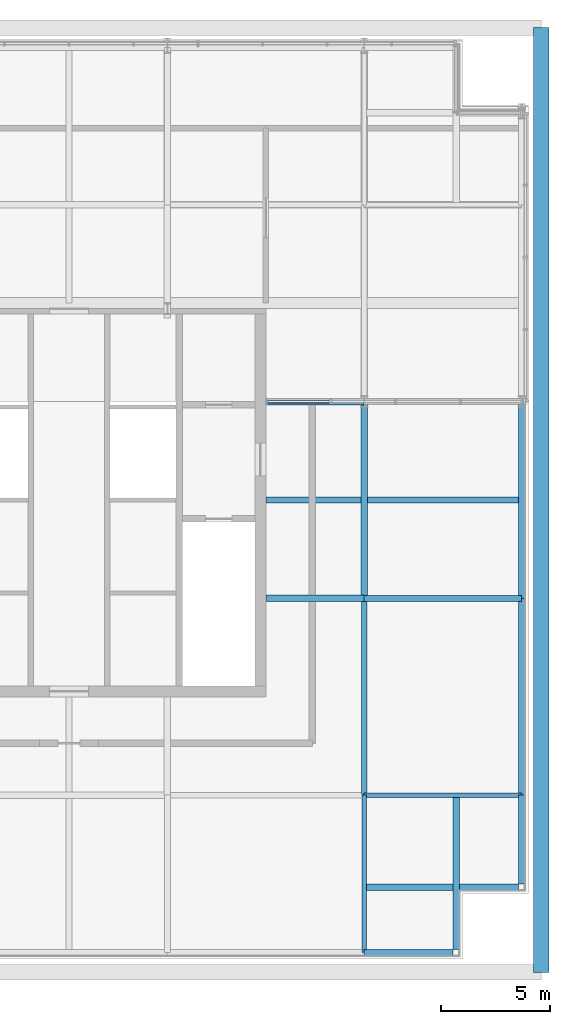
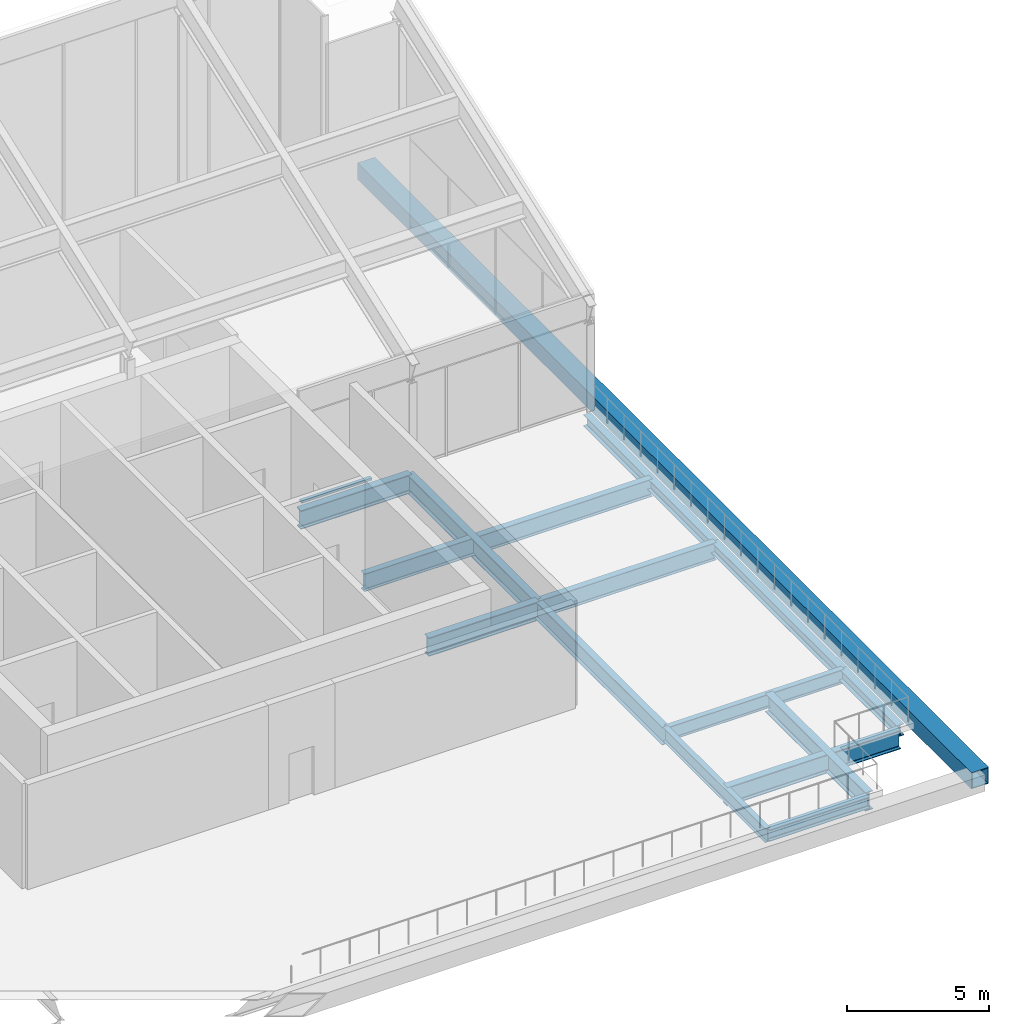
# One storey, part 3 of 10: 14 beams, 2 members, 1 element without a shape of its own.
"""IFC4 building model written with IfcOpenShell, lengths in metres."""

from ifc_helpers import new_model, si_unit, direction, frame, origin, origin_2d, place, context, subcontext, project, spatial, rectangle, hollow_rectangle, i_section, extrude, material, layer, layer_set, material_profile, profile_set, type_object, element, aggregate, save


model = new_model("IFC4")

# Units and contexts
model_context = context("Model", 3, precision=1e-05, world=origin(), true_north=direction((0.0, 1.0)))
body_context = subcontext(model_context, "Body", "Model", "MODEL_VIEW")
ifc_project = project(units=[si_unit("LENGTHUNIT", "METRE"), si_unit("AREAUNIT", "SQUARE_METRE"), si_unit("VOLUMEUNIT", "CUBIC_METRE"), si_unit("PLANEANGLEUNIT", "RADIAN"), si_unit("MASSUNIT", "GRAM", prefix="KILO")], contexts=[model_context])

# Site, building, storey
site_placement = place(None, origin())
site = spatial("IfcSite", under=ifc_project, at=site_placement, CompositionType="ELEMENT")
building_placement = place(site_placement, origin())
building = spatial("IfcBuilding", under=site, at=building_placement, Name="Malebo Sky Hospital", CompositionType="ELEMENT")
storey_placement = place(building_placement, frame((0.0, 0.0, 290.0)))
storey = spatial("IfcBuildingStorey", under=building, at=storey_placement, Name="RF", CompositionType="ELEMENT", Elevation=290.0)

# Curtain wall, member
ifc_material_1 = material(Name="Anodised aluminium, natural silver", Category="aluminium")
ifc_layer = layer(ifc_material_1, 0.25)
ifc_layer_set = layer_set([ifc_layer], Name="PENTHOUSE LOUVRE SCREEN")
curtain_wall_type = type_object("IfcCurtainWallType", Name="PENTHOUSE LOUVRE SCREEN", PredefinedType="NOTDEFINED", material=ifc_layer_set)
curtain_wall_placement = place(storey_placement, origin())
curtain_wall = element("IfcCurtainWall", 1, at=curtain_wall_placement, inside=storey, type_object=curtain_wall_type, Name="ROOF curtain wall SE", PredefinedType="NOTDEFINED")
ifc_material_profile_1 = material_profile(ifc_material_1, rectangle(XDim=0.14990234375, YDim=0.10009765625, at=origin_2d()), Name="ALUMINIUM TRANSOM 150x100")
ifc_profile_set_1 = profile_set([ifc_material_profile_1], Name="Anodised aluminium, natural silver")
member_type_1 = type_object("IfcMemberType", Name="ALUMINIUM TRANSOM 150x100", PredefinedType="USERDEFINED", material=ifc_profile_set_1)
member_1_placement = place(storey_placement, frame((69.074951171875, 66.5, 0.050048828125), z_axis=(1.0, 0.0, 0.0), x_axis=(0.0, 1.0, 0.0)))
member_1 = element("IfcMember", 2, at=member_1_placement, type_object=member_type_1, Name="Transom 1", ObjectType="TRANSOM", PredefinedType="USERDEFINED", context=body_context, shape_type="SweptSolid", body=[
    extrude(rectangle(XDim=0.14990234375, YDim=0.10009765625, at=origin_2d()), origin(), (0.0, 0.0, 1.0), 2.8564453125),
])
aggregate(curtain_wall, [member_1])

# Beams
ifc_material_2 = material(Name="Steel S355", Category="steel")
ifc_material_profile_2 = material_profile(ifc_material_2, i_section(OverallWidth=0.300048828125, OverallDepth=0.489990234375, WebThickness=0.011962890625, FlangeThickness=0.02294921875, FilletRadius=0.027099609375, at=origin_2d()), Name="HEA 500")
ifc_profile_set_2 = profile_set([ifc_material_profile_2], Name="Steel S355")
beam_type_1 = type_object("IfcBeamType", Name="EDGE BEAM HEA 500", PredefinedType="BEAM", material=ifc_profile_set_2)
beam_1_placement = place(storey_placement, frame((80.699951171875, 44.449951171875, -0.4951171875), z_axis=(0.0, 1.0, 0.0), x_axis=(-1.0, 0.0, 0.0)))
element("IfcBeam", 3, at=beam_1_placement, inside=storey, type_object=beam_type_1, Name="Beam 029 RF", PredefinedType="BEAM", context=body_context, shape_type="SweptSolid", body=[
    extrude(i_section(OverallWidth=0.300048828125, OverallDepth=0.489990234375, WebThickness=0.011962890625, FlangeThickness=0.02294921875, FilletRadius=0.027099609375, at=origin_2d()), origin(), (0.0, 0.0, 1.0), 4.050048828125),
])
for number, where, z_axis, x_axis, name in (
    (4, (80.699951171875, 48.5, -0.4951171875), (0.0, 1.0, 0.0), (-1.0, 0.0, 0.0), "Beam 030 RF"),
    (5, (80.699951171875, 57.5, -0.4951171875), (0.0, 1.0, 0.0), (-1.0, 0.0, 0.0), "Beam 031 RF"),
):
    element("IfcBeam", number, at=place(storey_placement, frame(where, z_axis=z_axis, x_axis=x_axis)), inside=storey, type_object=beam_type_1, Name=name, PredefinedType="BEAM", context=body_context, shape_type="SweptSolid", body=[
        extrude(i_section(OverallWidth=0.300048828125, OverallDepth=0.489990234375, WebThickness=0.011962890625, FlangeThickness=0.02294921875, FilletRadius=0.027099609375, at=origin_2d()), origin(), (0.0, 0.0, 1.0), 9.0),
    ])
beam_2_placement = place(storey_placement, frame((73.5, 41.300048828125, -0.4951171875), z_axis=(1.0, 0.0, 0.0), x_axis=(0.0, 1.0, 0.0)))
element("IfcBeam", 6, at=beam_2_placement, inside=storey, type_object=beam_type_1, Name="Beam 038 RF", PredefinedType="BEAM", context=body_context, shape_type="SweptSolid", body=[
    extrude(i_section(OverallWidth=0.300048828125, OverallDepth=0.489990234375, WebThickness=0.011962890625, FlangeThickness=0.02294921875, FilletRadius=0.027099609375, at=origin_2d()), origin(), (0.0, 0.0, 1.0), 4.050048828125),
])
ifc_material_profile_3 = material_profile(ifc_material_2, i_section(OverallWidth=0.300048828125, OverallDepth=0.800048828125, WebThickness=0.017578125, FlangeThickness=0.032958984375, FilletRadius=0.030029296875, at=origin_2d()), Name="HEB 800")
ifc_profile_set_3 = profile_set([ifc_material_profile_3], Name="Steel S355")
beam_type_2 = type_object("IfcBeamType", Name="FLOOR BEAM HEB 800", PredefinedType="BEAM", material=ifc_profile_set_3)
for number, where, z_axis, x_axis, name in (
    (7, (77.699951171875, 41.449951171875, -0.64990234375), (0.0, 1.0, 0.0), (-1.0, 0.0, 0.0), "Beam 027 RF"),
    (8, (73.5, 44.300048828125, -0.64990234375), (1.0, 0.0, 0.0), (0.0, 1.0, 0.0), "Beam 040 RF"),
):
    element("IfcBeam", number, at=place(storey_placement, frame(where, z_axis=z_axis, x_axis=x_axis)), inside=storey, type_object=beam_type_2, Name=name, PredefinedType="BEAM", context=body_context, shape_type="SweptSolid", body=[
        extrude(i_section(OverallWidth=0.300048828125, OverallDepth=0.800048828125, WebThickness=0.017578125, FlangeThickness=0.032958984375, FilletRadius=0.030029296875, at=origin_2d()), origin(), (0.0, 0.0, 1.0), 7.050048828125),
    ])
for number, where, z_axis, x_axis, name in (
    (9, (69.0, 57.5, -0.64990234375), (1.0, 0.0, 0.0), (0.0, 1.0, 0.0), "Beam 048 RF"),
    (10, (69.0, 66.5, -0.64990234375), (1.0, 0.0, 0.0), (0.0, 1.0, 0.0), "Beam 054 RF"),
):
    element("IfcBeam", number, at=place(storey_placement, frame(where, z_axis=z_axis, x_axis=x_axis)), inside=storey, type_object=beam_type_2, Name=name, PredefinedType="BEAM", context=body_context, shape_type="SweptSolid", body=[
        extrude(i_section(OverallWidth=0.300048828125, OverallDepth=0.800048828125, WebThickness=0.017578125, FlangeThickness=0.032958984375, FilletRadius=0.030029296875, at=origin_2d()), origin(), (0.0, 0.0, 1.0), 4.5),
    ])
ifc_material_profile_4 = material_profile(ifc_material_2, i_section(OverallWidth=0.262939453125, OverallDepth=0.7529296875, WebThickness=0.011474609375, FlangeThickness=0.01708984375, FilletRadius=0.01708984375, at=origin_2d()), Name="IPE 750x137")
ifc_profile_set_4 = profile_set([ifc_material_profile_4], Name="Steel S355")
beam_type_3 = type_object("IfcBeamType", Name="FLOOR BEAM IPE 750x137", PredefinedType="BEAM", material=ifc_profile_set_4)
beam_3_placement = place(storey_placement, frame((73.5, 57.5, -0.62646484375), z_axis=(1.0, 0.0, 0.0), x_axis=(0.0, 1.0, 0.0)))
element("IfcBeam", 11, at=beam_3_placement, inside=storey, type_object=beam_type_3, Name="Beam 049 RF", PredefinedType="BEAM", context=body_context, shape_type="SweptSolid", body=[
    extrude(i_section(OverallWidth=0.262939453125, OverallDepth=0.7529296875, WebThickness=0.011474609375, FlangeThickness=0.01708984375, FilletRadius=0.01708984375, at=origin_2d()), origin(), (0.0, 0.0, 1.0), 7.199951171875),
])
beam_4_placement = place(storey_placement, frame((69.0, 62.0, -0.62646484375), z_axis=(1.0, 0.0, 0.0), x_axis=(0.0, 1.0, 0.0)))
element("IfcBeam", 12, at=beam_4_placement, inside=storey, type_object=beam_type_3, Name="Beam 051 RF", PredefinedType="BEAM", context=body_context, shape_type="SweptSolid", body=[
    extrude(i_section(OverallWidth=0.262939453125, OverallDepth=0.7529296875, WebThickness=0.011474609375, FlangeThickness=0.01708984375, FilletRadius=0.01708984375, at=origin_2d()), origin(), (0.0, 0.0, 1.0), 11.699951171875),
])
ifc_material_profile_5 = material_profile(ifc_material_2, i_section(OverallWidth=0.26806640625, OverallDepth=0.77001953125, WebThickness=0.015625, FlangeThickness=0.025390625, FilletRadius=0.01708984375, at=origin_2d()), Name="IPE 750x196")
ifc_profile_set_5 = profile_set([ifc_material_profile_5], Name="Steel S355")
beam_type_4 = type_object("IfcBeamType", Name="FLOOR BEAM IPE 750x196", PredefinedType="BEAM", material=ifc_profile_set_5)
beam_5_placement = place(storey_placement, frame((73.5, 48.5, -0.635009765625), z_axis=(0.0, 1.0, 0.0), x_axis=(-1.0, 0.0, 0.0)))
element("IfcBeam", 13, at=beam_5_placement, inside=storey, type_object=beam_type_4, Name="Beam 023 RF", PredefinedType="BEAM", context=body_context, shape_type="SweptSolid", body=[
    extrude(i_section(OverallWidth=0.26806640625, OverallDepth=0.77001953125, WebThickness=0.015625, FlangeThickness=0.025390625, FilletRadius=0.01708984375, at=origin_2d()), origin(), (0.0, 0.0, 1.0), 9.0),
])
ifc_material_profile_6 = material_profile(ifc_material_2, i_section(OverallWidth=0.219970703125, OverallDepth=0.60009765625, WebThickness=0.011962890625, FlangeThickness=0.01904296875, FilletRadius=0.02392578125, at=origin_2d()), Name="IPE 600")
ifc_profile_set_6 = profile_set([ifc_material_profile_6], Name="Steel S355")
beam_type_5 = type_object("IfcBeamType", Name="FLOOR GIRDER IPE 600", PredefinedType="BEAM", material=ifc_profile_set_6)
for number, where, z_axis, x_axis, name in (
    (14, (73.5, 41.300048828125, -0.550048828125), (0.0, 1.0, 0.0), (-1.0, 0.0, 0.0), "Beam 022 RF"),
    (15, (73.5, 48.5, -0.550048828125), (1.0, 0.0, 0.0), (0.0, 1.0, 0.0), "Beam 045 RF"),
):
    element("IfcBeam", number, at=place(storey_placement, frame(where, z_axis=z_axis, x_axis=x_axis)), inside=storey, type_object=beam_type_5, Name=name, PredefinedType="BEAM", context=body_context, shape_type="SweptSolid", body=[
        extrude(i_section(OverallWidth=0.219970703125, OverallDepth=0.60009765625, WebThickness=0.011962890625, FlangeThickness=0.01904296875, FilletRadius=0.02392578125, at=origin_2d()), origin(), (0.0, 0.0, 1.0), 7.199951171875),
    ])

# Member
ifc_material_3 = material(Name="Steel S460", Category="steel")
ifc_material_profile_7 = material_profile(ifc_material_3, hollow_rectangle(XDim=0.699951171875, YDim=0.699951171875, WallThickness=0.034912109375, at=origin_2d()), Name="BOX 700x700x35")
ifc_profile_set_7 = profile_set([ifc_material_profile_7], Name="Steel S460")
member_type_2 = type_object("IfcMemberType", Name="MEGA TIE BOX 700x700x35", PredefinedType="CHORD", material=ifc_profile_set_7)
member_2_placement = place(storey_placement, frame((81.60009765625, 40.39990234375, -0.39990234375), z_axis=(0.0, 1.0, 0.0), x_axis=(-1.0, 0.0, 0.0)))
element("IfcMember", 16, at=member_2_placement, inside=storey, type_object=member_type_2, Name="Mega tie DE RF", PredefinedType="CHORD", context=body_context, shape_type="SweptSolid", body=[
    extrude(hollow_rectangle(XDim=0.699951171875, YDim=0.699951171875, WallThickness=0.034912109375, at=origin_2d()), origin(), (0.0, 0.0, 1.0), 43.2001953125),
])

# Beam
ifc_material_profile_8 = material_profile(ifc_material_2, i_section(OverallWidth=0.300048828125, OverallDepth=0.800048828125, WebThickness=0.017578125, FlangeThickness=0.032958984375, FilletRadius=0.030029296875, at=origin_2d()), Name="HEB 800")
ifc_profile_set_8 = profile_set([ifc_material_profile_8], Name="Steel S355")
beam_type_6 = type_object("IfcBeamType", Name="RING GIRDER HEB 800", PredefinedType="BEAM", material=ifc_profile_set_8)
beam_6_placement = place(storey_placement, frame((73.5, 57.5, -0.64990234375), z_axis=(0.0, 1.0, 0.0), x_axis=(-1.0, 0.0, 0.0)))
element("IfcBeam", 17, at=beam_6_placement, inside=storey, type_object=beam_type_6, Name="Beam 024 RF", PredefinedType="BEAM", context=body_context, shape_type="SweptSolid", body=[
    extrude(i_section(OverallWidth=0.300048828125, OverallDepth=0.800048828125, WebThickness=0.017578125, FlangeThickness=0.032958984375, FilletRadius=0.030029296875, at=origin_2d()), origin(), (0.0, 0.0, 1.0), 9.0),
])

save(model, "model.ifc")
